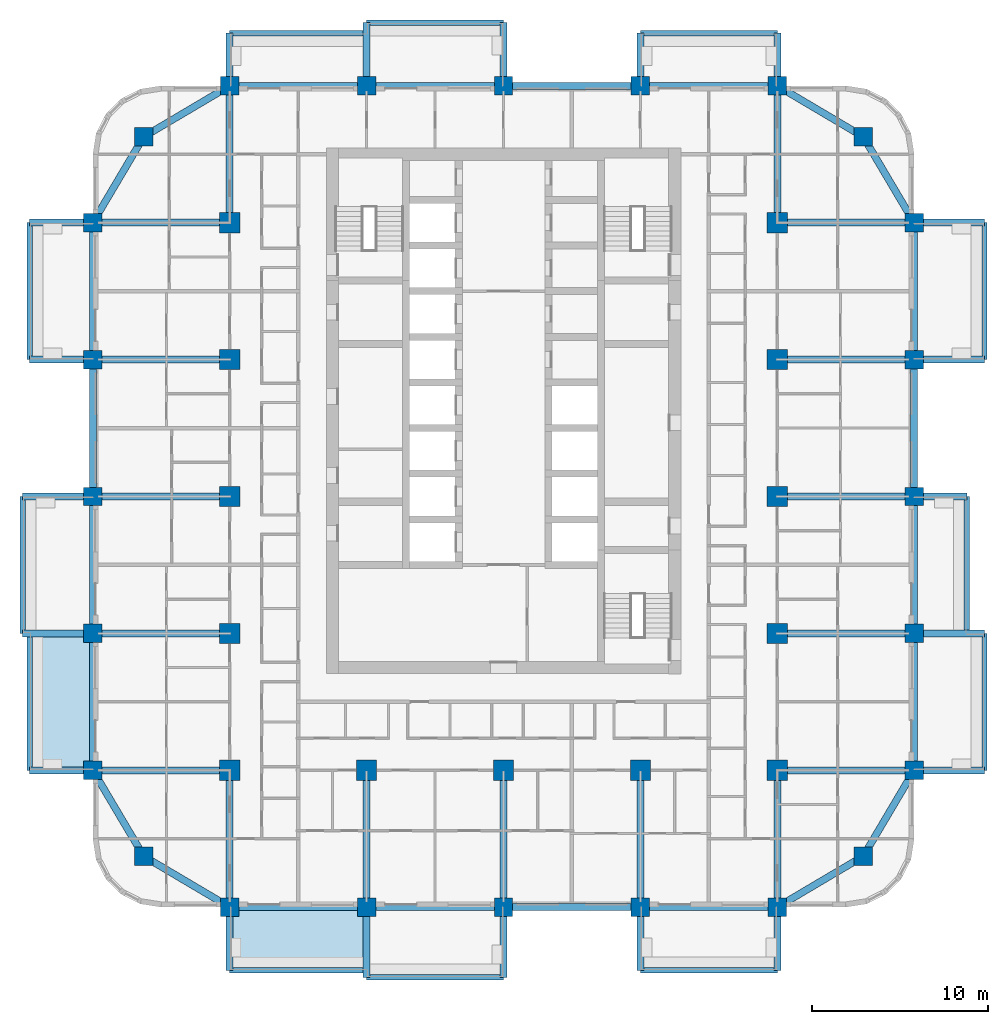
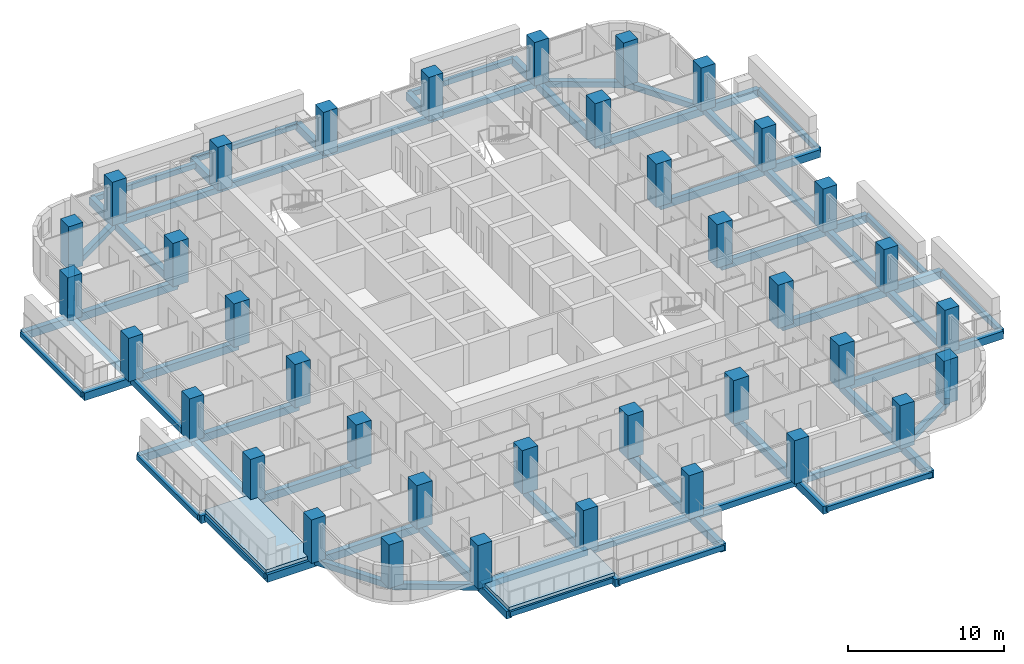
# One storey, part 1 of 17: 73 beams, 37 columns, 2 slabs.
"""IFC4 building model written with IfcOpenShell, lengths in metres."""

from ifc_helpers import new_model, si_unit, direction, frame, origin, origin_2d, place, context, subcontext, project, spatial, polyline, rectangle, outline, extrude, material, layer, layer_set, material_profile, profile_set, type_object, element, save


model = new_model("IFC4")

# Units and contexts
model_context = context("Model", 3, precision=1e-05, world=origin(), true_north=direction((0.0, 1.0)))
body_context = subcontext(model_context, "Body", "Model", "MODEL_VIEW")
ifc_project = project(units=[si_unit("LENGTHUNIT", "METRE"), si_unit("AREAUNIT", "SQUARE_METRE"), si_unit("VOLUMEUNIT", "CUBIC_METRE"), si_unit("PLANEANGLEUNIT", "RADIAN"), si_unit("MASSUNIT", "GRAM", prefix="KILO")], contexts=[model_context])

# Site, building, storey
site_placement = place(None, origin())
site = spatial("IfcSite", under=ifc_project, at=site_placement, CompositionType="ELEMENT")
building_placement = place(site_placement, origin())
building = spatial("IfcBuilding", under=site, at=building_placement, Name="Ludao Terraces", CompositionType="ELEMENT")
storey_placement = place(building_placement, frame((0.0, 0.0, 19.5)))
storey = spatial("IfcBuildingStorey", under=building, at=storey_placement, Name="L04", CompositionType="ELEMENT", Elevation=19.5)

# Columns
ifc_material_1 = material(Name="Concrete C60", Category="concrete")
ifc_material_profile_1 = material_profile(ifc_material_1, rectangle(XDim=1.050048828125, YDim=1.050048828125, at=origin_2d()), Name="1050 X 1050")
ifc_profile_set_1 = profile_set([ifc_material_profile_1], Name="Concrete C60")
column_type_1 = type_object("IfcColumnType", Name="RC column 1050x1050 C60", PredefinedType="COLUMN", material=ifc_profile_set_1)
for number, where, z_axis, x_axis, name in (
    (1, (64.5, 44.5, -0.25), (0.0, 0.0, 1.0), (1.0, 0.0, 0.0), "Column L04 C0029x0029"),
    (2, (105.5, 44.5, -0.25), (0.0, 0.0, 1.0), (1.0, 0.0, 0.0), "Column L04 C0439x0029"),
    (3, (64.5, 85.5, -0.25), (0.0, 0.0, 1.0), (1.0, 0.0, 0.0), "Column L04 C0029x0439"),
    (4, (105.5, 85.5, -0.25), (0.0, 0.0, 1.0), (1.0, 0.0, 0.0), "Column L04 C0439x0439"),
    (5, (61.60009765625, 49.39990234375, -0.25), (0.0, 0.0, 1.0), (1.0, 0.0, 0.0), "Column L04 F0000x0078"),
    (6, (108.39990234375, 49.39990234375, -0.25), (0.0, 0.0, 1.0), (1.0, 0.0, 0.0), "Column L04 F0468x0078"),
    (7, (69.39990234375, 41.60009765625, -0.25), (0.0, 0.0, 1.0), (1.0, 0.0, 0.0), "Column L04 F0078x0000"),
    (8, (69.39990234375, 88.39990234375, -0.25), (0.0, 0.0, 1.0), (1.0, 0.0, 0.0), "Column L04 F0078x0468"),
    (9, (61.60009765625, 57.199951171875, -0.25), (0.0, 0.0, 1.0), (1.0, 0.0, 0.0), "Column L04 F0000x0156"),
    (10, (108.39990234375, 57.199951171875, -0.25), (0.0, 0.0, 1.0), (1.0, 0.0, 0.0), "Column L04 F0468x0156"),
    (11, (77.199951171875, 41.60009765625, -0.25), (0.0, 0.0, 1.0), (1.0, 0.0, 0.0), "Column L04 F0156x0000"),
    (12, (77.199951171875, 88.39990234375, -0.25), (0.0, 0.0, 1.0), (1.0, 0.0, 0.0), "Column L04 F0156x0468"),
    (13, (61.60009765625, 65.0, -0.25), (0.0, 0.0, 1.0), (1.0, 0.0, 0.0), "Column L04 F0000x0234"),
    (14, (108.39990234375, 65.0, -0.25), (0.0, 0.0, 1.0), (1.0, 0.0, 0.0), "Column L04 F0468x0234"),
    (15, (85.0, 41.60009765625, -0.25), (0.0, 0.0, 1.0), (1.0, 0.0, 0.0), "Column L04 F0234x0000"),
    (16, (85.0, 88.39990234375, -0.25), (0.0, 0.0, 1.0), (1.0, 0.0, 0.0), "Column L04 F0234x0468"),
    (17, (61.60009765625, 72.800048828125, -0.25), (0.0, 0.0, 1.0), (1.0, 0.0, 0.0), "Column L04 F0000x0312"),
    (18, (108.39990234375, 72.800048828125, -0.25), (0.0, 0.0, 1.0), (1.0, 0.0, 0.0), "Column L04 F0468x0312"),
    (19, (92.800048828125, 41.60009765625, -0.25), (0.0, 0.0, 1.0), (1.0, 0.0, 0.0), "Column L04 F0312x0000"),
    (20, (92.800048828125, 88.39990234375, -0.25), (0.0, 0.0, 1.0), (1.0, 0.0, 0.0), "Column L04 F0312x0468"),
    (21, (61.60009765625, 80.60009765625, -0.25), (0.0, 0.0, 1.0), (1.0, 0.0, 0.0), "Column L04 F0000x0390"),
    (22, (108.39990234375, 80.60009765625, -0.25), (0.0, 0.0, 1.0), (1.0, 0.0, 0.0), "Column L04 F0468x0390"),
    (23, (100.60009765625, 41.60009765625, -0.25), (0.0, 0.0, 1.0), (1.0, 0.0, 0.0), "Column L04 F0390x0000"),
    (24, (100.60009765625, 88.39990234375, -0.25), (0.0, 0.0, 1.0), (1.0, 0.0, 0.0), "Column L04 F0390x0468"),
):
    element("IfcColumn", number, at=place(storey_placement, frame(where, z_axis=z_axis, x_axis=x_axis)), inside=storey, type_object=column_type_1, Name=name, PredefinedType="COLUMN", context=body_context, shape_type="SweptSolid", body=[
        extrude(rectangle(XDim=1.050048828125, YDim=1.050048828125, at=origin_2d()), origin(), (0.0, 0.0, 1.0), 3.39990234375),
    ])
ifc_material_profile_2 = material_profile(ifc_material_1, rectangle(XDim=1.14990234375, YDim=1.14990234375, at=origin_2d()), Name="1150 X 1150")
ifc_profile_set_2 = profile_set([ifc_material_profile_2], Name="Concrete C60")
column_type_2 = type_object("IfcColumnType", Name="RC column 1150x1150 C60", PredefinedType="COLUMN", material=ifc_profile_set_2)
for number, where, z_axis, x_axis, name in (
    (25, (69.39990234375, 49.39990234375, -0.25), (0.0, 0.0, 1.0), (1.0, 0.0, 0.0), "Column L04 S0078x0078"),
    (26, (69.39990234375, 57.199951171875, -0.25), (0.0, 0.0, 1.0), (1.0, 0.0, 0.0), "Column L04 S0078x0156"),
    (27, (69.39990234375, 65.0, -0.25), (0.0, 0.0, 1.0), (1.0, 0.0, 0.0), "Column L04 S0078x0234"),
    (28, (69.39990234375, 72.800048828125, -0.25), (0.0, 0.0, 1.0), (1.0, 0.0, 0.0), "Column L04 S0078x0312"),
    (29, (69.39990234375, 80.60009765625, -0.25), (0.0, 0.0, 1.0), (1.0, 0.0, 0.0), "Column L04 S0078x0390"),
    (30, (77.199951171875, 49.39990234375, -0.25), (0.0, 0.0, 1.0), (1.0, 0.0, 0.0), "Column L04 S0156x0078"),
    (31, (85.0, 49.39990234375, -0.25), (0.0, 0.0, 1.0), (1.0, 0.0, 0.0), "Column L04 S0234x0078"),
    (32, (92.800048828125, 49.39990234375, -0.25), (0.0, 0.0, 1.0), (1.0, 0.0, 0.0), "Column L04 S0312x0078"),
    (33, (100.60009765625, 49.39990234375, -0.25), (0.0, 0.0, 1.0), (1.0, 0.0, 0.0), "Column L04 S0390x0078"),
    (34, (100.60009765625, 57.199951171875, -0.25), (0.0, 0.0, 1.0), (1.0, 0.0, 0.0), "Column L04 S0390x0156"),
    (35, (100.60009765625, 65.0, -0.25), (0.0, 0.0, 1.0), (1.0, 0.0, 0.0), "Column L04 S0390x0234"),
    (36, (100.60009765625, 72.800048828125, -0.25), (0.0, 0.0, 1.0), (1.0, 0.0, 0.0), "Column L04 S0390x0312"),
    (37, (100.60009765625, 80.60009765625, -0.25), (0.0, 0.0, 1.0), (1.0, 0.0, 0.0), "Column L04 S0390x0390"),
):
    element("IfcColumn", number, at=place(storey_placement, frame(where, z_axis=z_axis, x_axis=x_axis)), inside=storey, type_object=column_type_2, Name=name, PredefinedType="COLUMN", context=body_context, shape_type="SweptSolid", body=[
        extrude(rectangle(XDim=1.14990234375, YDim=1.14990234375, at=origin_2d()), origin(), (0.0, 0.0, 1.0), 3.39990234375),
    ])

# Beams
ifc_material_2 = material(Name="Concrete C40", Category="concrete")
ifc_material_profile_3 = material_profile(ifc_material_2, rectangle(XDim=0.300048828125, YDim=0.39990234375, at=origin_2d()), Name="300 X 400")
ifc_profile_set_3 = profile_set([ifc_material_profile_3], Name="Concrete C40")
beam_type_1 = type_object("IfcBeamType", Name="RC beam 300x400 C40", PredefinedType="BEAM", material=ifc_profile_set_3)
for number, where, z_axis, x_axis, name in (
    (38, (69.39990234375, 38.0, -0.449951171875), (1.0, 0.0, 0.0), (0.0, 1.0, 0.0), "Balcony edge beam L04 S1"),
    (39, (77.199951171875, 37.60009765625, -0.449951171875), (1.0, 0.0, 0.0), (0.0, 1.0, 0.0), "Balcony edge beam L04 S2"),
    (40, (92.800048828125, 38.0, -0.449951171875), (1.0, 0.0, 0.0), (0.0, 1.0, 0.0), "Balcony edge beam L04 S4"),
    (41, (112.39990234375, 49.39990234375, -0.449951171875), (0.0, 1.0, 0.0), (-1.0, 0.0, 0.0), "Balcony edge beam L04 E1"),
    (42, (111.39990234375, 57.199951171875, -0.449951171875), (0.0, 1.0, 0.0), (-1.0, 0.0, 0.0), "Balcony edge beam L04 E2"),
    (43, (112.39990234375, 72.800048828125, -0.449951171875), (0.0, 1.0, 0.0), (-1.0, 0.0, 0.0), "Balcony edge beam L04 E4"),
    (44, (69.39990234375, 91.39990234375, -0.449951171875), (1.0, 0.0, 0.0), (0.0, 1.0, 0.0), "Balcony edge beam L04 N1"),
    (45, (77.199951171875, 92.0, -0.449951171875), (1.0, 0.0, 0.0), (0.0, 1.0, 0.0), "Balcony edge beam L04 N2"),
    (46, (92.800048828125, 91.39990234375, -0.449951171875), (1.0, 0.0, 0.0), (0.0, 1.0, 0.0), "Balcony edge beam L04 N4"),
    (47, (58.0, 49.39990234375, -0.449951171875), (0.0, 1.0, 0.0), (-1.0, 0.0, 0.0), "Balcony edge beam L04 W1"),
    (48, (57.60009765625, 57.199951171875, -0.449951171875), (0.0, 1.0, 0.0), (-1.0, 0.0, 0.0), "Balcony edge beam L04 W2"),
    (49, (58.0, 72.800048828125, -0.449951171875), (0.0, 1.0, 0.0), (-1.0, 0.0, 0.0), "Balcony edge beam L04 W4"),
):
    element("IfcBeam", number, at=place(storey_placement, frame(where, z_axis=z_axis, x_axis=x_axis)), inside=storey, type_object=beam_type_1, Name=name, PredefinedType="BEAM", context=body_context, shape_type="SweptSolid", body=[
        extrude(rectangle(XDim=0.300048828125, YDim=0.39990234375, at=origin_2d()), origin(), (0.0, 0.0, 1.0), 7.800048828125),
    ])
ifc_material_profile_4 = material_profile(ifc_material_2, rectangle(XDim=0.39990234375, YDim=0.449951171875, at=origin_2d()), Name="400 X 450")
ifc_profile_set_4 = profile_set([ifc_material_profile_4], Name="Concrete C40")
beam_type_2 = type_object("IfcBeamType", Name="RC beam 400x450 C40", PredefinedType="BEAM", material=ifc_profile_set_4)
beam_1_placement = place(storey_placement, frame((64.5, 44.5, -0.47509765625), z_axis=(0.860579751256, -0.509315709288, 0.0), x_axis=(0.509315709288, 0.860579751256, 0.0)))
element("IfcBeam", 50, at=beam_1_placement, inside=storey, type_object=beam_type_2, Name="Spandrel beam L04 S1", PredefinedType="BEAM", context=body_context, shape_type="SweptSolid", body=[
    extrude(rectangle(XDim=0.39990234375, YDim=0.449951171875, at=origin_2d()), origin(), (0.0, 0.0, 1.0), 5.693603515625),
])
for number, where, z_axis, x_axis, name in (
    (51, (69.39990234375, 41.60009765625, -0.47509765625), (1.0, 0.0, 0.0), (0.0, 1.0, 0.0), "Spandrel beam L04 S2"),
    (52, (77.199951171875, 41.60009765625, -0.47509765625), (1.0, 0.0, 0.0), (0.0, 1.0, 0.0), "Spandrel beam L04 S3"),
    (53, (85.0, 41.60009765625, -0.47509765625), (1.0, 0.0, 0.0), (0.0, 1.0, 0.0), "Spandrel beam L04 S4"),
    (54, (92.800048828125, 41.60009765625, -0.47509765625), (1.0, 0.0, 0.0), (0.0, 1.0, 0.0), "Spandrel beam L04 S5"),
):
    element("IfcBeam", number, at=place(storey_placement, frame(where, z_axis=z_axis, x_axis=x_axis)), inside=storey, type_object=beam_type_2, Name=name, PredefinedType="BEAM", context=body_context, shape_type="SweptSolid", body=[
        extrude(rectangle(XDim=0.39990234375, YDim=0.449951171875, at=origin_2d()), origin(), (0.0, 0.0, 1.0), 7.800048828125),
    ])
for number, where, z_axis, x_axis, name in (
    (55, (100.60009765625, 41.60009765625, -0.47509765625), (0.860579751256, 0.509315709288, 0.0), (-0.509315709288, 0.860579751256, 0.0), "Spandrel beam L04 S6"),
    (56, (64.5, 85.5, -0.47509765625), (0.860579751256, 0.509315709288, 0.0), (-0.509315709288, 0.860579751256, 0.0), "Spandrel beam L04 N7"),
):
    element("IfcBeam", number, at=place(storey_placement, frame(where, z_axis=z_axis, x_axis=x_axis)), inside=storey, type_object=beam_type_2, Name=name, PredefinedType="BEAM", context=body_context, shape_type="SweptSolid", body=[
        extrude(rectangle(XDim=0.39990234375, YDim=0.449951171875, at=origin_2d()), origin(), (0.0, 0.0, 1.0), 5.693603515625),
    ])
for number, where, z_axis, x_axis, name in (
    (57, (69.39990234375, 88.39990234375, -0.47509765625), (1.0, 0.0, 0.0), (0.0, 1.0, 0.0), "Spandrel beam L04 N8"),
    (58, (77.199951171875, 88.39990234375, -0.47509765625), (1.0, 0.0, 0.0), (0.0, 1.0, 0.0), "Spandrel beam L04 N9"),
    (59, (85.0, 88.39990234375, -0.47509765625), (1.0, 0.0, 0.0), (0.0, 1.0, 0.0), "Spandrel beam L04 N10"),
    (60, (92.800048828125, 88.39990234375, -0.47509765625), (1.0, 0.0, 0.0), (0.0, 1.0, 0.0), "Spandrel beam L04 N11"),
):
    element("IfcBeam", number, at=place(storey_placement, frame(where, z_axis=z_axis, x_axis=x_axis)), inside=storey, type_object=beam_type_2, Name=name, PredefinedType="BEAM", context=body_context, shape_type="SweptSolid", body=[
        extrude(rectangle(XDim=0.39990234375, YDim=0.449951171875, at=origin_2d()), origin(), (0.0, 0.0, 1.0), 7.800048828125),
    ])
for number, where, z_axis, x_axis, name in (
    (61, (100.60009765625, 88.39990234375, -0.47509765625), (0.860579751256, -0.509315709288, 0.0), (0.509315709288, 0.860579751256, 0.0), "Spandrel beam L04 N12"),
    (62, (64.5, 44.5, -0.47509765625), (-0.509315709288, 0.860579751256, 0.0), (-0.860579751256, -0.509315709288, 0.0), "Spandrel beam L04 W13"),
):
    element("IfcBeam", number, at=place(storey_placement, frame(where, z_axis=z_axis, x_axis=x_axis)), inside=storey, type_object=beam_type_2, Name=name, PredefinedType="BEAM", context=body_context, shape_type="SweptSolid", body=[
        extrude(rectangle(XDim=0.39990234375, YDim=0.449951171875, at=origin_2d()), origin(), (0.0, 0.0, 1.0), 5.693603515625),
    ])
for number, where, z_axis, x_axis, name in (
    (63, (61.60009765625, 49.39990234375, -0.47509765625), (0.0, 1.0, 0.0), (-1.0, 0.0, 0.0), "Spandrel beam L04 W14"),
    (64, (61.60009765625, 57.199951171875, -0.47509765625), (0.0, 1.0, 0.0), (-1.0, 0.0, 0.0), "Spandrel beam L04 W15"),
    (65, (61.60009765625, 65.0, -0.47509765625), (0.0, 1.0, 0.0), (-1.0, 0.0, 0.0), "Spandrel beam L04 W16"),
    (66, (61.60009765625, 72.800048828125, -0.47509765625), (0.0, 1.0, 0.0), (-1.0, 0.0, 0.0), "Spandrel beam L04 W17"),
):
    element("IfcBeam", number, at=place(storey_placement, frame(where, z_axis=z_axis, x_axis=x_axis)), inside=storey, type_object=beam_type_2, Name=name, PredefinedType="BEAM", context=body_context, shape_type="SweptSolid", body=[
        extrude(rectangle(XDim=0.39990234375, YDim=0.449951171875, at=origin_2d()), origin(), (0.0, 0.0, 1.0), 7.800048828125),
    ])
for number, where, z_axis, x_axis, name in (
    (67, (61.60009765625, 80.60009765625, -0.47509765625), (0.509315709288, 0.860579751256, 0.0), (-0.860579751256, 0.509315709288, 0.0), "Spandrel beam L04 W18"),
    (68, (105.5, 44.5, -0.47509765625), (0.509315709288, 0.860579751256, 0.0), (-0.860579751256, 0.509315709288, 0.0), "Spandrel beam L04 E19"),
):
    element("IfcBeam", number, at=place(storey_placement, frame(where, z_axis=z_axis, x_axis=x_axis)), inside=storey, type_object=beam_type_2, Name=name, PredefinedType="BEAM", context=body_context, shape_type="SweptSolid", body=[
        extrude(rectangle(XDim=0.39990234375, YDim=0.449951171875, at=origin_2d()), origin(), (0.0, 0.0, 1.0), 5.693603515625),
    ])
for number, where, z_axis, x_axis, name in (
    (69, (108.39990234375, 49.39990234375, -0.47509765625), (0.0, 1.0, 0.0), (-1.0, 0.0, 0.0), "Spandrel beam L04 E20"),
    (70, (108.39990234375, 57.199951171875, -0.47509765625), (0.0, 1.0, 0.0), (-1.0, 0.0, 0.0), "Spandrel beam L04 E21"),
    (71, (108.39990234375, 65.0, -0.47509765625), (0.0, 1.0, 0.0), (-1.0, 0.0, 0.0), "Spandrel beam L04 E22"),
    (72, (108.39990234375, 72.800048828125, -0.47509765625), (0.0, 1.0, 0.0), (-1.0, 0.0, 0.0), "Spandrel beam L04 E23"),
):
    element("IfcBeam", number, at=place(storey_placement, frame(where, z_axis=z_axis, x_axis=x_axis)), inside=storey, type_object=beam_type_2, Name=name, PredefinedType="BEAM", context=body_context, shape_type="SweptSolid", body=[
        extrude(rectangle(XDim=0.39990234375, YDim=0.449951171875, at=origin_2d()), origin(), (0.0, 0.0, 1.0), 7.800048828125),
    ])
beam_2_placement = place(storey_placement, frame((108.39990234375, 80.60009765625, -0.47509765625), z_axis=(-0.509315709288, 0.860579751256, 0.0), x_axis=(-0.860579751256, -0.509315709288, 0.0)))
element("IfcBeam", 73, at=beam_2_placement, inside=storey, type_object=beam_type_2, Name="Spandrel beam L04 E24", PredefinedType="BEAM", context=body_context, shape_type="SweptSolid", body=[
    extrude(rectangle(XDim=0.39990234375, YDim=0.449951171875, at=origin_2d()), origin(), (0.0, 0.0, 1.0), 5.693603515625),
])
ifc_material_profile_5 = material_profile(ifc_material_2, rectangle(XDim=0.39990234375, YDim=0.60009765625, at=origin_2d()), Name="400 X 600")
ifc_profile_set_5 = profile_set([ifc_material_profile_5], Name="Concrete C40")
beam_type_3 = type_object("IfcBeamType", Name="RC beam 400x600 C40", PredefinedType="BEAM", material=ifc_profile_set_5)
beam_3_placement = place(storey_placement, frame((100.60009765625, 49.39990234375, -0.550048828125), z_axis=(1.0, 0.0, 0.0), x_axis=(0.0, 1.0, 0.0)))
element("IfcBeam", 74, at=beam_3_placement, inside=storey, type_object=beam_type_3, Name="Balcony beam L04 E494", PredefinedType="BEAM", context=body_context, shape_type="SweptSolid", body=[
    extrude(rectangle(XDim=0.39990234375, YDim=0.60009765625, at=origin_2d()), origin(), (0.0, 0.0, 1.0), 7.7998046875),
])
beam_4_placement = place(storey_placement, frame((108.39990234375, 49.39990234375, -0.550048828125), z_axis=(1.0, 0.0, 0.0), x_axis=(0.0, 1.0, 0.0)))
element("IfcBeam", 75, at=beam_4_placement, inside=storey, type_object=beam_type_3, Name="Balcony beam L04 E494", PredefinedType="BEAM", context=body_context, shape_type="SweptSolid", body=[
    extrude(rectangle(XDim=0.39990234375, YDim=0.60009765625, at=origin_2d()), origin(), (0.0, 0.0, 1.0), 4.0),
])
beam_5_placement = place(storey_placement, frame((100.60009765625, 57.199951171875, -0.550048828125), z_axis=(1.0, 0.0, 0.0), x_axis=(0.0, 1.0, 0.0)))
element("IfcBeam", 76, at=beam_5_placement, inside=storey, type_object=beam_type_3, Name="Balcony beam L04 E572", PredefinedType="BEAM", context=body_context, shape_type="SweptSolid", body=[
    extrude(rectangle(XDim=0.39990234375, YDim=0.60009765625, at=origin_2d()), origin(), (0.0, 0.0, 1.0), 7.7998046875),
])
beam_6_placement = place(storey_placement, frame((108.39990234375, 57.199951171875, -0.550048828125), z_axis=(1.0, 0.0, 0.0), x_axis=(0.0, 1.0, 0.0)))
element("IfcBeam", 77, at=beam_6_placement, inside=storey, type_object=beam_type_3, Name="Balcony beam L04 E572", PredefinedType="BEAM", context=body_context, shape_type="SweptSolid", body=[
    extrude(rectangle(XDim=0.39990234375, YDim=0.60009765625, at=origin_2d()), origin(), (0.0, 0.0, 1.0), 4.0),
])
beam_7_placement = place(storey_placement, frame((100.60009765625, 65.0, -0.550048828125), z_axis=(1.0, 0.0, 0.0), x_axis=(0.0, 1.0, 0.0)))
element("IfcBeam", 78, at=beam_7_placement, inside=storey, type_object=beam_type_3, Name="Balcony beam L04 E650", PredefinedType="BEAM", context=body_context, shape_type="SweptSolid", body=[
    extrude(rectangle(XDim=0.39990234375, YDim=0.60009765625, at=origin_2d()), origin(), (0.0, 0.0, 1.0), 7.7998046875),
])
beam_8_placement = place(storey_placement, frame((108.39990234375, 65.0, -0.550048828125), z_axis=(1.0, 0.0, 0.0), x_axis=(0.0, 1.0, 0.0)))
element("IfcBeam", 79, at=beam_8_placement, inside=storey, type_object=beam_type_3, Name="Balcony beam L04 E650", PredefinedType="BEAM", context=body_context, shape_type="SweptSolid", body=[
    extrude(rectangle(XDim=0.39990234375, YDim=0.60009765625, at=origin_2d()), origin(), (0.0, 0.0, 1.0), 3.0),
])
beam_9_placement = place(storey_placement, frame((100.60009765625, 72.800048828125, -0.550048828125), z_axis=(1.0, 0.0, 0.0), x_axis=(0.0, 1.0, 0.0)))
element("IfcBeam", 80, at=beam_9_placement, inside=storey, type_object=beam_type_3, Name="Balcony beam L04 E728", PredefinedType="BEAM", context=body_context, shape_type="SweptSolid", body=[
    extrude(rectangle(XDim=0.39990234375, YDim=0.60009765625, at=origin_2d()), origin(), (0.0, 0.0, 1.0), 7.7998046875),
])
beam_10_placement = place(storey_placement, frame((108.39990234375, 72.800048828125, -0.550048828125), z_axis=(1.0, 0.0, 0.0), x_axis=(0.0, 1.0, 0.0)))
element("IfcBeam", 81, at=beam_10_placement, inside=storey, type_object=beam_type_3, Name="Balcony beam L04 E728", PredefinedType="BEAM", context=body_context, shape_type="SweptSolid", body=[
    extrude(rectangle(XDim=0.39990234375, YDim=0.60009765625, at=origin_2d()), origin(), (0.0, 0.0, 1.0), 4.0),
])
beam_11_placement = place(storey_placement, frame((100.60009765625, 80.60009765625, -0.550048828125), z_axis=(1.0, 0.0, 0.0), x_axis=(0.0, 1.0, 0.0)))
element("IfcBeam", 82, at=beam_11_placement, inside=storey, type_object=beam_type_3, Name="Balcony beam L04 E806", PredefinedType="BEAM", context=body_context, shape_type="SweptSolid", body=[
    extrude(rectangle(XDim=0.39990234375, YDim=0.60009765625, at=origin_2d()), origin(), (0.0, 0.0, 1.0), 7.7998046875),
])
beam_12_placement = place(storey_placement, frame((108.39990234375, 80.60009765625, -0.550048828125), z_axis=(1.0, 0.0, 0.0), x_axis=(0.0, 1.0, 0.0)))
element("IfcBeam", 83, at=beam_12_placement, inside=storey, type_object=beam_type_3, Name="Balcony beam L04 E806", PredefinedType="BEAM", context=body_context, shape_type="SweptSolid", body=[
    extrude(rectangle(XDim=0.39990234375, YDim=0.60009765625, at=origin_2d()), origin(), (0.0, 0.0, 1.0), 4.0),
])
beam_13_placement = place(storey_placement, frame((100.60009765625, 80.60009765625, -0.550048828125), z_axis=(0.0, 1.0, 0.0), x_axis=(-1.0, 0.0, 0.0)))
element("IfcBeam", 84, at=beam_13_placement, inside=storey, type_object=beam_type_3, Name="Balcony beam L04 N1006", PredefinedType="BEAM", context=body_context, shape_type="SweptSolid", body=[
    extrude(rectangle(XDim=0.39990234375, YDim=0.60009765625, at=origin_2d()), origin(), (0.0, 0.0, 1.0), 7.7998046875),
])
beam_14_placement = place(storey_placement, frame((100.60009765625, 88.39990234375, -0.550048828125), z_axis=(0.0, 1.0, 0.0), x_axis=(-1.0, 0.0, 0.0)))
element("IfcBeam", 85, at=beam_14_placement, inside=storey, type_object=beam_type_3, Name="Balcony beam L04 N1006", PredefinedType="BEAM", context=body_context, shape_type="SweptSolid", body=[
    extrude(rectangle(XDim=0.39990234375, YDim=0.60009765625, at=origin_2d()), origin(), (0.0, 0.0, 1.0), 3.0),
])
beam_15_placement = place(storey_placement, frame((69.39990234375, 80.60009765625, -0.550048828125), z_axis=(0.0, 1.0, 0.0), x_axis=(-1.0, 0.0, 0.0)))
element("IfcBeam", 86, at=beam_15_placement, inside=storey, type_object=beam_type_3, Name="Balcony beam L04 N694", PredefinedType="BEAM", context=body_context, shape_type="SweptSolid", body=[
    extrude(rectangle(XDim=0.39990234375, YDim=0.60009765625, at=origin_2d()), origin(), (0.0, 0.0, 1.0), 7.7998046875),
])
beam_16_placement = place(storey_placement, frame((69.39990234375, 88.39990234375, -0.550048828125), z_axis=(0.0, 1.0, 0.0), x_axis=(-1.0, 0.0, 0.0)))
element("IfcBeam", 87, at=beam_16_placement, inside=storey, type_object=beam_type_3, Name="Balcony beam L04 N694", PredefinedType="BEAM", context=body_context, shape_type="SweptSolid", body=[
    extrude(rectangle(XDim=0.39990234375, YDim=0.60009765625, at=origin_2d()), origin(), (0.0, 0.0, 1.0), 3.0),
])
for number, where, z_axis, x_axis, name in (
    (88, (77.199951171875, 88.39990234375, -0.550048828125), (0.0, 1.0, 0.0), (-1.0, 0.0, 0.0), "Balcony beam L04 N772"),
    (89, (85.0, 88.39990234375, -0.550048828125), (0.0, 1.0, 0.0), (-1.0, 0.0, 0.0), "Balcony beam L04 N850"),
):
    element("IfcBeam", number, at=place(storey_placement, frame(where, z_axis=z_axis, x_axis=x_axis)), inside=storey, type_object=beam_type_3, Name=name, PredefinedType="BEAM", context=body_context, shape_type="SweptSolid", body=[
        extrude(rectangle(XDim=0.39990234375, YDim=0.60009765625, at=origin_2d()), origin(), (0.0, 0.0, 1.0), 3.60009765625),
    ])
beam_17_placement = place(storey_placement, frame((92.800048828125, 88.39990234375, -0.550048828125), z_axis=(0.0, 1.0, 0.0), x_axis=(-1.0, 0.0, 0.0)))
element("IfcBeam", 90, at=beam_17_placement, inside=storey, type_object=beam_type_3, Name="Balcony beam L04 N928", PredefinedType="BEAM", context=body_context, shape_type="SweptSolid", body=[
    extrude(rectangle(XDim=0.39990234375, YDim=0.60009765625, at=origin_2d()), origin(), (0.0, 0.0, 1.0), 3.0),
])
beam_18_placement = place(storey_placement, frame((100.60009765625, 49.39990234375, -0.550048828125), z_axis=(0.0, -1.0, 0.0), x_axis=(1.0, 0.0, 0.0)))
element("IfcBeam", 91, at=beam_18_placement, inside=storey, type_object=beam_type_3, Name="Balcony beam L04 S1006", PredefinedType="BEAM", context=body_context, shape_type="SweptSolid", body=[
    extrude(rectangle(XDim=0.39990234375, YDim=0.60009765625, at=origin_2d()), origin(), (0.0, 0.0, 1.0), 7.7998046875),
])
beam_19_placement = place(storey_placement, frame((100.60009765625, 41.60009765625, -0.550048828125), z_axis=(0.0, -1.0, 0.0), x_axis=(1.0, 0.0, 0.0)))
element("IfcBeam", 92, at=beam_19_placement, inside=storey, type_object=beam_type_3, Name="Balcony beam L04 S1006", PredefinedType="BEAM", context=body_context, shape_type="SweptSolid", body=[
    extrude(rectangle(XDim=0.39990234375, YDim=0.60009765625, at=origin_2d()), origin(), (0.0, 0.0, 1.0), 3.60009765625),
])
beam_20_placement = place(storey_placement, frame((69.39990234375, 49.39990234375, -0.550048828125), z_axis=(0.0, -1.0, 0.0), x_axis=(1.0, 0.0, 0.0)))
element("IfcBeam", 93, at=beam_20_placement, inside=storey, type_object=beam_type_3, Name="Balcony beam L04 S694", PredefinedType="BEAM", context=body_context, shape_type="SweptSolid", body=[
    extrude(rectangle(XDim=0.39990234375, YDim=0.60009765625, at=origin_2d()), origin(), (0.0, 0.0, 1.0), 7.7998046875),
])
beam_21_placement = place(storey_placement, frame((69.39990234375, 41.60009765625, -0.550048828125), z_axis=(0.0, -1.0, 0.0), x_axis=(1.0, 0.0, 0.0)))
element("IfcBeam", 94, at=beam_21_placement, inside=storey, type_object=beam_type_3, Name="Balcony beam L04 S694", PredefinedType="BEAM", context=body_context, shape_type="SweptSolid", body=[
    extrude(rectangle(XDim=0.39990234375, YDim=0.60009765625, at=origin_2d()), origin(), (0.0, 0.0, 1.0), 3.60009765625),
])
beam_22_placement = place(storey_placement, frame((77.199951171875, 49.39990234375, -0.550048828125), z_axis=(0.0, -1.0, 0.0), x_axis=(1.0, 0.0, 0.0)))
element("IfcBeam", 95, at=beam_22_placement, inside=storey, type_object=beam_type_3, Name="Balcony beam L04 S772", PredefinedType="BEAM", context=body_context, shape_type="SweptSolid", body=[
    extrude(rectangle(XDim=0.39990234375, YDim=0.60009765625, at=origin_2d()), origin(), (0.0, 0.0, 1.0), 7.7998046875),
])
beam_23_placement = place(storey_placement, frame((77.199951171875, 41.60009765625, -0.550048828125), z_axis=(0.0, -1.0, 0.0), x_axis=(1.0, 0.0, 0.0)))
element("IfcBeam", 96, at=beam_23_placement, inside=storey, type_object=beam_type_3, Name="Balcony beam L04 S772", PredefinedType="BEAM", context=body_context, shape_type="SweptSolid", body=[
    extrude(rectangle(XDim=0.39990234375, YDim=0.60009765625, at=origin_2d()), origin(), (0.0, 0.0, 1.0), 4.0),
])
beam_24_placement = place(storey_placement, frame((85.0, 49.39990234375, -0.550048828125), z_axis=(0.0, -1.0, 0.0), x_axis=(1.0, 0.0, 0.0)))
element("IfcBeam", 97, at=beam_24_placement, inside=storey, type_object=beam_type_3, Name="Balcony beam L04 S850", PredefinedType="BEAM", context=body_context, shape_type="SweptSolid", body=[
    extrude(rectangle(XDim=0.39990234375, YDim=0.60009765625, at=origin_2d()), origin(), (0.0, 0.0, 1.0), 7.7998046875),
])
beam_25_placement = place(storey_placement, frame((85.0, 41.60009765625, -0.550048828125), z_axis=(0.0, -1.0, 0.0), x_axis=(1.0, 0.0, 0.0)))
element("IfcBeam", 98, at=beam_25_placement, inside=storey, type_object=beam_type_3, Name="Balcony beam L04 S850", PredefinedType="BEAM", context=body_context, shape_type="SweptSolid", body=[
    extrude(rectangle(XDim=0.39990234375, YDim=0.60009765625, at=origin_2d()), origin(), (0.0, 0.0, 1.0), 4.0),
])
beam_26_placement = place(storey_placement, frame((92.800048828125, 49.39990234375, -0.550048828125), z_axis=(0.0, -1.0, 0.0), x_axis=(1.0, 0.0, 0.0)))
element("IfcBeam", 99, at=beam_26_placement, inside=storey, type_object=beam_type_3, Name="Balcony beam L04 S928", PredefinedType="BEAM", context=body_context, shape_type="SweptSolid", body=[
    extrude(rectangle(XDim=0.39990234375, YDim=0.60009765625, at=origin_2d()), origin(), (0.0, 0.0, 1.0), 7.7998046875),
])
beam_27_placement = place(storey_placement, frame((92.800048828125, 41.60009765625, -0.550048828125), z_axis=(0.0, -1.0, 0.0), x_axis=(1.0, 0.0, 0.0)))
element("IfcBeam", 100, at=beam_27_placement, inside=storey, type_object=beam_type_3, Name="Balcony beam L04 S928", PredefinedType="BEAM", context=body_context, shape_type="SweptSolid", body=[
    extrude(rectangle(XDim=0.39990234375, YDim=0.60009765625, at=origin_2d()), origin(), (0.0, 0.0, 1.0), 3.60009765625),
])
beam_28_placement = place(storey_placement, frame((69.39990234375, 49.39990234375, -0.550048828125), z_axis=(-1.0, 0.0, 0.0), x_axis=(0.0, -1.0, 0.0)))
element("IfcBeam", 101, at=beam_28_placement, inside=storey, type_object=beam_type_3, Name="Balcony beam L04 W494", PredefinedType="BEAM", context=body_context, shape_type="SweptSolid", body=[
    extrude(rectangle(XDim=0.39990234375, YDim=0.60009765625, at=origin_2d()), origin(), (0.0, 0.0, 1.0), 7.7998046875),
])
beam_29_placement = place(storey_placement, frame((61.60009765625, 49.39990234375, -0.550048828125), z_axis=(-1.0, 0.0, 0.0), x_axis=(0.0, -1.0, 0.0)))
element("IfcBeam", 102, at=beam_29_placement, inside=storey, type_object=beam_type_3, Name="Balcony beam L04 W494", PredefinedType="BEAM", context=body_context, shape_type="SweptSolid", body=[
    extrude(rectangle(XDim=0.39990234375, YDim=0.60009765625, at=origin_2d()), origin(), (0.0, 0.0, 1.0), 3.60009765625),
])
beam_30_placement = place(storey_placement, frame((69.39990234375, 57.199951171875, -0.550048828125), z_axis=(-1.0, 0.0, 0.0), x_axis=(0.0, -1.0, 0.0)))
element("IfcBeam", 103, at=beam_30_placement, inside=storey, type_object=beam_type_3, Name="Balcony beam L04 W572", PredefinedType="BEAM", context=body_context, shape_type="SweptSolid", body=[
    extrude(rectangle(XDim=0.39990234375, YDim=0.60009765625, at=origin_2d()), origin(), (0.0, 0.0, 1.0), 7.7998046875),
])
beam_31_placement = place(storey_placement, frame((61.60009765625, 57.199951171875, -0.550048828125), z_axis=(-1.0, 0.0, 0.0), x_axis=(0.0, -1.0, 0.0)))
element("IfcBeam", 104, at=beam_31_placement, inside=storey, type_object=beam_type_3, Name="Balcony beam L04 W572", PredefinedType="BEAM", context=body_context, shape_type="SweptSolid", body=[
    extrude(rectangle(XDim=0.39990234375, YDim=0.60009765625, at=origin_2d()), origin(), (0.0, 0.0, 1.0), 4.0),
])
beam_32_placement = place(storey_placement, frame((69.39990234375, 65.0, -0.550048828125), z_axis=(-1.0, 0.0, 0.0), x_axis=(0.0, -1.0, 0.0)))
element("IfcBeam", 105, at=beam_32_placement, inside=storey, type_object=beam_type_3, Name="Balcony beam L04 W650", PredefinedType="BEAM", context=body_context, shape_type="SweptSolid", body=[
    extrude(rectangle(XDim=0.39990234375, YDim=0.60009765625, at=origin_2d()), origin(), (0.0, 0.0, 1.0), 7.7998046875),
])
beam_33_placement = place(storey_placement, frame((61.60009765625, 65.0, -0.550048828125), z_axis=(-1.0, 0.0, 0.0), x_axis=(0.0, -1.0, 0.0)))
element("IfcBeam", 106, at=beam_33_placement, inside=storey, type_object=beam_type_3, Name="Balcony beam L04 W650", PredefinedType="BEAM", context=body_context, shape_type="SweptSolid", body=[
    extrude(rectangle(XDim=0.39990234375, YDim=0.60009765625, at=origin_2d()), origin(), (0.0, 0.0, 1.0), 4.0),
])
beam_34_placement = place(storey_placement, frame((69.39990234375, 72.800048828125, -0.550048828125), z_axis=(-1.0, 0.0, 0.0), x_axis=(0.0, -1.0, 0.0)))
element("IfcBeam", 107, at=beam_34_placement, inside=storey, type_object=beam_type_3, Name="Balcony beam L04 W728", PredefinedType="BEAM", context=body_context, shape_type="SweptSolid", body=[
    extrude(rectangle(XDim=0.39990234375, YDim=0.60009765625, at=origin_2d()), origin(), (0.0, 0.0, 1.0), 7.7998046875),
])
beam_35_placement = place(storey_placement, frame((61.60009765625, 72.800048828125, -0.550048828125), z_axis=(-1.0, 0.0, 0.0), x_axis=(0.0, -1.0, 0.0)))
element("IfcBeam", 108, at=beam_35_placement, inside=storey, type_object=beam_type_3, Name="Balcony beam L04 W728", PredefinedType="BEAM", context=body_context, shape_type="SweptSolid", body=[
    extrude(rectangle(XDim=0.39990234375, YDim=0.60009765625, at=origin_2d()), origin(), (0.0, 0.0, 1.0), 3.60009765625),
])
beam_36_placement = place(storey_placement, frame((69.39990234375, 80.60009765625, -0.550048828125), z_axis=(-1.0, 0.0, 0.0), x_axis=(0.0, -1.0, 0.0)))
element("IfcBeam", 109, at=beam_36_placement, inside=storey, type_object=beam_type_3, Name="Balcony beam L04 W806", PredefinedType="BEAM", context=body_context, shape_type="SweptSolid", body=[
    extrude(rectangle(XDim=0.39990234375, YDim=0.60009765625, at=origin_2d()), origin(), (0.0, 0.0, 1.0), 7.7998046875),
])
beam_37_placement = place(storey_placement, frame((61.60009765625, 80.60009765625, -0.550048828125), z_axis=(-1.0, 0.0, 0.0), x_axis=(0.0, -1.0, 0.0)))
element("IfcBeam", 110, at=beam_37_placement, inside=storey, type_object=beam_type_3, Name="Balcony beam L04 W806", PredefinedType="BEAM", context=body_context, shape_type="SweptSolid", body=[
    extrude(rectangle(XDim=0.39990234375, YDim=0.60009765625, at=origin_2d()), origin(), (0.0, 0.0, 1.0), 3.60009765625),
])

# Slabs
ifc_layer = layer(ifc_material_2, 0.25)
ifc_layer_set = layer_set([ifc_layer], Name="Balcony slab 250 C40")
slab_type = type_object("IfcSlabType", Name="Balcony slab 250 C40", PredefinedType="USERDEFINED", material=ifc_layer_set)
slab_1_placement = place(storey_placement, frame((0.0, 0.0, -0.25)))
element("IfcSlab", 111, at=slab_1_placement, inside=storey, type_object=slab_type, Name="Balcony L04 S1", ObjectType="BALCONY", PredefinedType="USERDEFINED", context=body_context, shape_type="SweptSolid", body=[
    extrude(outline(polyline([(69.39990234375, 38.0), (77.199951171875, 38.0), (77.199951171875, 41.60009765625), (69.39990234375, 41.60009765625), (69.39990234375, 38.0)])), origin(), (0.0, 0.0, 1.0), 0.25),
])
slab_2_placement = place(storey_placement, frame((0.0, 0.0, -0.25)))
element("IfcSlab", 112, at=slab_2_placement, inside=storey, type_object=slab_type, Name="Balcony L04 W1", ObjectType="BALCONY", PredefinedType="USERDEFINED", context=body_context, shape_type="SweptSolid", body=[
    extrude(outline(polyline([(58.0, 49.39990234375), (61.60009765625, 49.39990234375), (61.60009765625, 57.199951171875), (58.0, 57.199951171875), (58.0, 49.39990234375)])), origin(), (0.0, 0.0, 1.0), 0.25),
])

save(model, "model.ifc")
